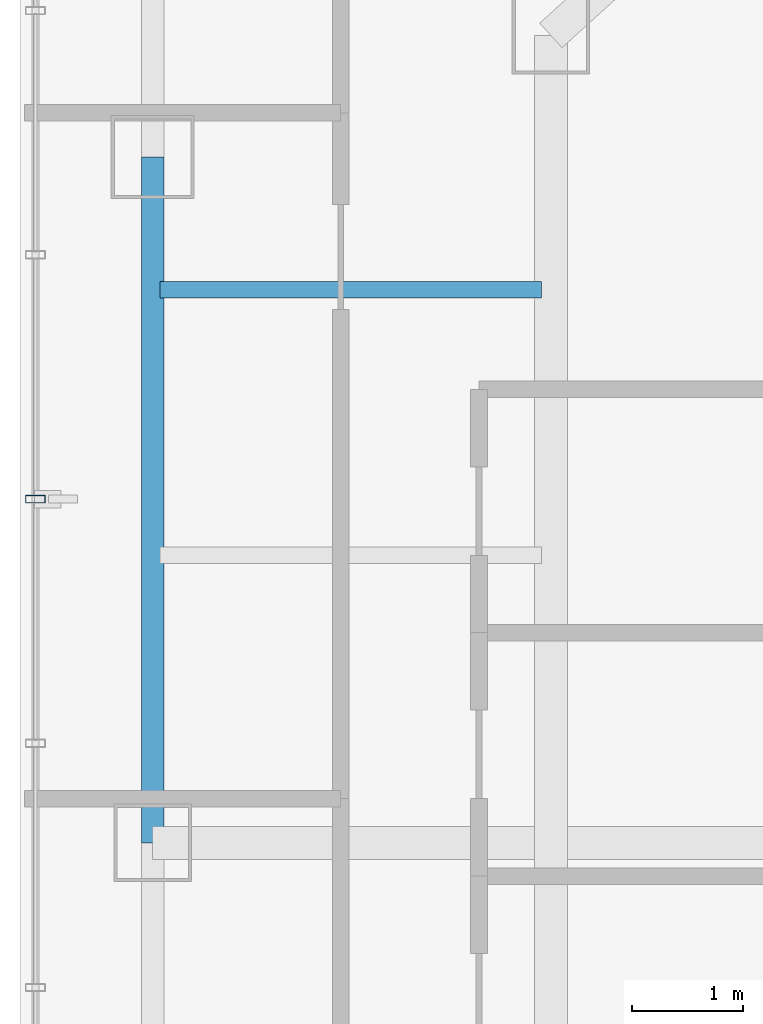
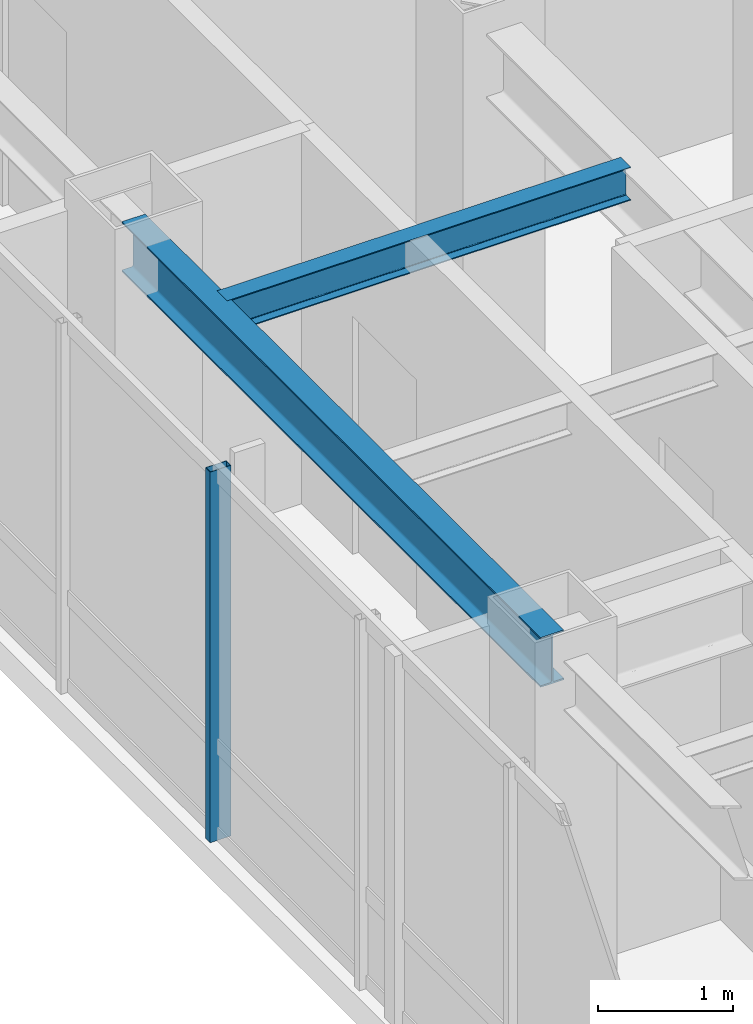
# One storey, part 8 of 26: 2 beams, 1 member, 1 element without a shape of its own.
"""IFC4 building model written with IfcOpenShell, lengths in metres."""

from ifc_helpers import new_model, si_unit, direction, frame, origin, origin_2d, place, context, subcontext, project, spatial, hollow_rectangle, i_section, extrude, material, layer, layer_set, material_profile, profile_set, type_object, element, aggregate, save


model = new_model("IFC4")

# Units and contexts
model_context = context("Model", 3, precision=1e-05, world=origin(), true_north=direction((0.0, 1.0)))
body_context = subcontext(model_context, "Body", "Model", "MODEL_VIEW")
ifc_project = project(units=[si_unit("LENGTHUNIT", "METRE"), si_unit("AREAUNIT", "SQUARE_METRE"), si_unit("VOLUMEUNIT", "CUBIC_METRE"), si_unit("PLANEANGLEUNIT", "RADIAN"), si_unit("MASSUNIT", "GRAM", prefix="KILO")], contexts=[model_context])

# Site, building, storey
site_placement = place(None, origin())
site = spatial("IfcSite", under=ifc_project, at=site_placement, CompositionType="ELEMENT")
building_placement = place(site_placement, origin())
building = spatial("IfcBuilding", under=site, at=building_placement, Name="Hatsunagi Terrace Concourse", CompositionType="ELEMENT")
storey_placement = place(building_placement, frame((0.0, 0.0, 198.75)))
storey = spatial("IfcBuildingStorey", under=building, at=storey_placement, Name="L52", CompositionType="ELEMENT", Elevation=198.75)

# Curtain wall, member
ifc_material_1 = material(Name="Anodised Aluminium Alloy 6063-T5", Category="aluminium")
ifc_layer = layer(ifc_material_1, 0.199951171875)
ifc_layer_set = layer_set([ifc_layer], Name="OfficeZone2_CW04")
curtain_wall_type = type_object("IfcCurtainWallType", Name="OfficeZone2_CW04", PredefinedType="NOTDEFINED", material=ifc_layer_set)
curtain_wall_placement = place(storey_placement, origin())
curtain_wall = element("IfcCurtainWall", 1, at=curtain_wall_placement, inside=storey, type_object=curtain_wall_type, Name="Unitised Curtain Wall CW-04 CW-L52-08", PredefinedType="NOTDEFINED")
ifc_material_2 = material(Name="Anodised Aluminium Alloy 6063-T5", Category="aluminium")
ifc_material_profile_1 = material_profile(ifc_material_2, hollow_rectangle(XDim=0.070068359375, YDim=0.179931640625, WallThickness=0.00390625, at=origin_2d()), Name="ALU-MUL-180x70x4")
ifc_profile_set_1 = profile_set([ifc_material_profile_1], Name="Anodised Aluminium Alloy 6063-T5")
member_type = type_object("IfcMemberType", Name="CurtainWallMullion_180x70", PredefinedType="MULLION", material=ifc_profile_set_1)
member_placement = place(storey_placement, frame((18.139892578125, 39.10791015625, 0.0), z_axis=(0.0, 0.0, 1.0), x_axis=(0.0, 1.0, 0.0)))
member = element("IfcMember", 2, at=member_placement, type_object=member_type, Name="Curtain Wall Mullion MUL-02", PredefinedType="MULLION", context=body_context, shape_type="SweptSolid", body=[
    extrude(hollow_rectangle(XDim=0.070068359375, YDim=0.179931640625, WallThickness=0.00390625, at=origin_2d()), origin(), (0.0, 0.0, 1.0), 3.35009765625),
])
aggregate(curtain_wall, [member])

# Beams
ifc_material_3 = material(Name="Steel SN490B", Category="steel")
ifc_material_profile_2 = material_profile(ifc_material_3, i_section(OverallWidth=0.14990234375, OverallDepth=0.300048828125, WebThickness=0.006591796875, FlangeThickness=0.009033203125, FilletRadius=0.010986328125, at=origin_2d()), Name="H-300x150x6.5x9")
ifc_profile_set_2 = profile_set([ifc_material_profile_2], Name="Steel SN490B")
beam_type_1 = type_object("IfcBeamType", Name="OfficeJoist_H_300x150", PredefinedType="JOIST", material=ifc_profile_set_2)
beam_1_placement = place(storey_placement, frame((19.264892578125, 41.0, 3.199951171875), z_axis=(1.0, 0.0, 0.0), x_axis=(0.0, 1.0, 0.0)))
element("IfcBeam", 3, at=beam_1_placement, inside=storey, type_object=beam_type_1, Name="Beam J-03 J-L52-W-19-410", PredefinedType="JOIST", context=body_context, shape_type="SweptSolid", body=[
    extrude(i_section(OverallWidth=0.14990234375, OverallDepth=0.300048828125, WebThickness=0.006591796875, FlangeThickness=0.009033203125, FilletRadius=0.010986328125, at=origin_2d()), origin(), (0.0, 0.0, 1.0), 3.4501953125),
])
ifc_material_4 = material(Name="Steel SN490B", Category="steel")
ifc_material_profile_3 = material_profile(ifc_material_4, i_section(OverallWidth=0.199951171875, OverallDepth=0.449951171875, WebThickness=0.009033203125, FlangeThickness=0.013916015625, FilletRadius=0.01611328125, at=origin_2d()), Name="H-450x200x9x14")
ifc_profile_set_3 = profile_set([ifc_material_profile_3], Name="Steel SN490B")
beam_type_2 = type_object("IfcBeamType", Name="PerimeterSpandrel_H_450x200", PredefinedType="SPANDREL", material=ifc_profile_set_3)
beam_2_placement = place(storey_placement, frame((19.199951171875, 36.0, 3.125), z_axis=(0.0, 1.0, 0.0), x_axis=(-1.0, 0.0, 0.0)))
element("IfcBeam", 4, at=beam_2_placement, inside=storey, type_object=beam_type_2, Name="Beam SP-02 BM-L52-NS-19-36", PredefinedType="SPANDREL", context=body_context, shape_type="SweptSolid", body=[
    extrude(i_section(OverallWidth=0.199951171875, OverallDepth=0.449951171875, WebThickness=0.009033203125, FlangeThickness=0.013916015625, FilletRadius=0.01611328125, at=origin_2d()), origin(), (0.0, 0.0, 1.0), 6.199951171875),
])

save(model, "model.ifc")
